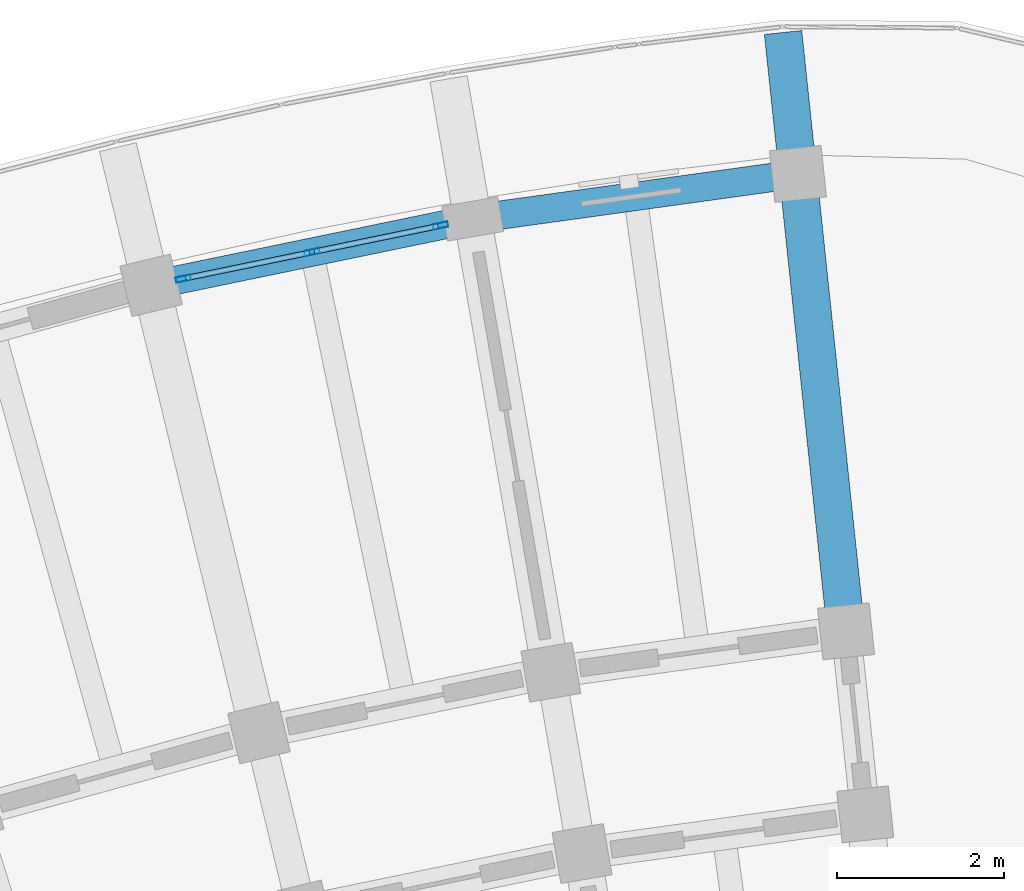
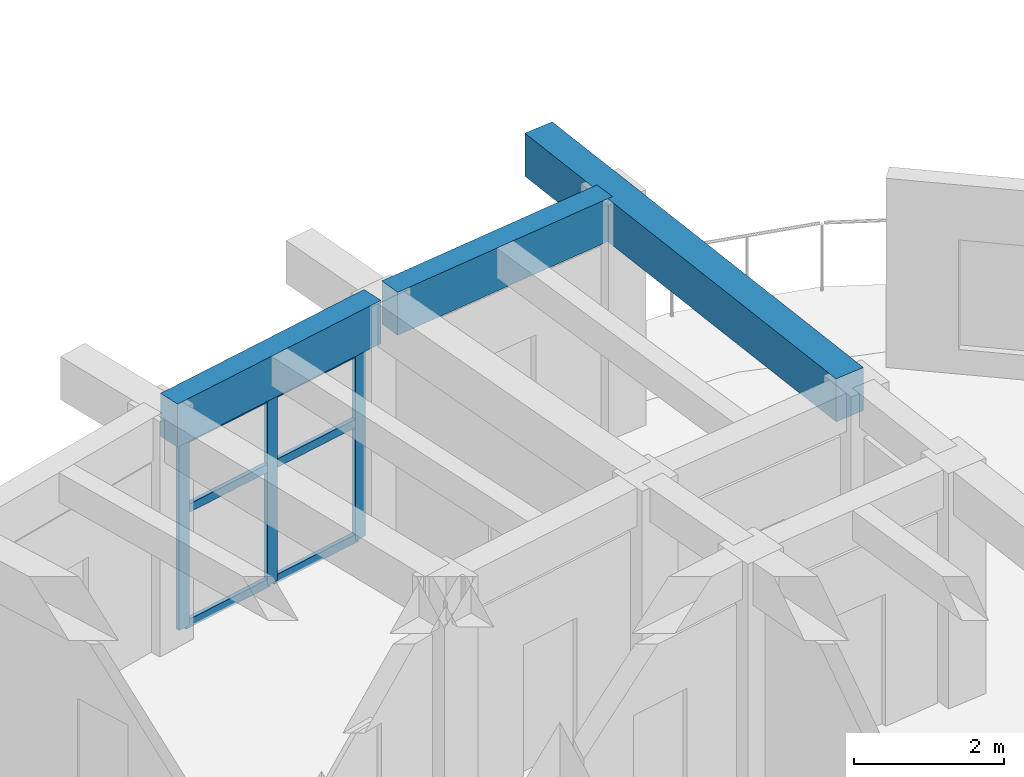
# One storey, part 42 of 128: 9 members, 3 beams, 1 element without a shape of its own.
"""IFC4 building model written with IfcOpenShell, lengths in metres."""

from ifc_helpers import new_model, si_unit, direction, frame, origin, origin_2d, place, context, subcontext, project, spatial, rectangle, hollow_rectangle, extrude, material, material_profile, profile_set, type_object, element, aggregate, save


model = new_model("IFC4")

# Units and contexts
model_context = context("Model", 3, precision=1e-05, world=origin(), true_north=direction((0.0, 1.0)))
body_context = subcontext(model_context, "Body", "Model", "MODEL_VIEW")
ifc_project = project(units=[si_unit("LENGTHUNIT", "METRE"), si_unit("AREAUNIT", "SQUARE_METRE"), si_unit("VOLUMEUNIT", "CUBIC_METRE"), si_unit("PLANEANGLEUNIT", "RADIAN"), si_unit("MASSUNIT", "GRAM", prefix="KILO")], contexts=[model_context])

# Site, building, storey
site_placement = place(None, origin())
site = spatial("IfcSite", under=ifc_project, at=site_placement, CompositionType="ELEMENT")
building_placement = place(site_placement, origin())
building = spatial("IfcBuilding", under=site, at=building_placement, Name="Tanwirah Colonnade Gardens", CompositionType="ELEMENT")
storey_placement = place(building_placement, frame((0.0, 0.0, 4.760009765625)))
storey = spatial("IfcBuildingStorey", under=building, at=storey_placement, Name="L01", CompositionType="ELEMENT", Elevation=4.760009765625)

# Beam
ifc_material_1 = material(Name="Precast concrete C45/55", Category="concrete")
ifc_material_profile_1 = material_profile(ifc_material_1, rectangle(XDim=0.449951171875, YDim=0.699951171875, at=origin_2d()), Name="PC-BM 450x700")
ifc_profile_set_1 = profile_set([ifc_material_profile_1], Name="Precast concrete C45/55")
beam_type_1 = type_object("IfcBeamType", Name="BM-PC450", PredefinedType="BEAM", material=ifc_profile_set_1)
beam_placement = place(storey_placement, frame((59.33447265625, 114.10302734375, 3.47509765625), z_axis=(-0.104511730475, 0.994523653913, 0.0), x_axis=(-0.994523653913, -0.104511730475, 0.0)))
element("IfcBeam", 1, at=beam_placement, inside=storey, type_object=beam_type_1, Name="Block A L01 Outer Radial Precast Girder 0", PredefinedType="BEAM", context=body_context, shape_type="SweptSolid", body=[
    extrude(rectangle(XDim=0.449951171875, YDim=0.699951171875, at=origin_2d()), origin(), (0.0, 0.0, 1.0), 7.050048828125),
])

# Curtain wall, members
ifc_material_2 = material(Name="Bronze-anodised aluminium and solar-control low-E glass", Category="aluminium")
curtain_wall_type = type_object("IfcCurtainWallType", Name="CW-LOB", PredefinedType="NOTDEFINED", material=ifc_material_2)
curtain_wall_placement = place(storey_placement, origin())
curtain_wall = element("IfcCurtainWall", 2, at=curtain_wall_placement, inside=storey, type_object=curtain_wall_type, Name="Curtain Wall CW-A-L01-OUT-01", PredefinedType="NOTDEFINED")
ifc_material_3 = material(Name="Bronze-anodised aluminium", Category="aluminium")
ifc_material_profile_2 = material_profile(ifc_material_3, hollow_rectangle(XDim=0.06494140625, YDim=0.179931640625, WallThickness=0.00390625, at=origin_2d()), Name="CW-MUL 65x180x4")
ifc_profile_set_2 = profile_set([ifc_material_profile_2], Name="Bronze-anodised aluminium")
member_type_1 = type_object("IfcMemberType", Name="CWM-65x180", PredefinedType="MULLION", material=ifc_profile_set_2)
member_1_placement = place(storey_placement, frame((54.50244140625, 118.8056640625, 0.0), z_axis=(0.0, 0.0, 1.0), x_axis=(0.202218047772, -0.979340523595, 0.0)))
member_1 = element("IfcMember", 3, at=member_1_placement, type_object=member_type_1, Name="CW-LOB mullion 1", PredefinedType="MULLION", context=body_context, shape_type="SweptSolid", body=[
    extrude(hollow_rectangle(XDim=0.06494140625, YDim=0.179931640625, WallThickness=0.00390625, at=origin_2d()), origin(), (0.0, 0.0, 1.0), 3.074951171875),
])
member_2_placement = place(storey_placement, frame((52.964599609375, 118.488037109375, 0.0), z_axis=(0.0, 0.0, 1.0), x_axis=(0.202218047772, -0.979340523595, 0.0)))
member_2 = element("IfcMember", 4, at=member_2_placement, type_object=member_type_1, Name="CW-LOB mullion 2", PredefinedType="MULLION", context=body_context, shape_type="SweptSolid", body=[
    extrude(hollow_rectangle(XDim=0.06494140625, YDim=0.179931640625, WallThickness=0.00390625, at=origin_2d()), origin(), (0.0, 0.0, 1.0), 3.074951171875),
])
member_3_placement = place(storey_placement, frame((51.426513671875, 118.17041015625, 0.0), z_axis=(0.0, 0.0, 1.0), x_axis=(0.202218047772, -0.979340523595, 0.0)))
member_3 = element("IfcMember", 5, at=member_3_placement, type_object=member_type_1, Name="CW-LOB mullion 3", PredefinedType="MULLION", context=body_context, shape_type="SweptSolid", body=[
    extrude(hollow_rectangle(XDim=0.06494140625, YDim=0.179931640625, WallThickness=0.00390625, at=origin_2d()), origin(), (0.0, 0.0, 1.0), 3.074951171875),
])
ifc_material_profile_3 = material_profile(ifc_material_3, hollow_rectangle(XDim=0.06494140625, YDim=0.135009765625, WallThickness=0.00390625, at=origin_2d()), Name="CW-TRN 65x135x4")
ifc_profile_set_3 = profile_set([ifc_material_profile_3], Name="Bronze-anodised aluminium")
member_type_2 = type_object("IfcMemberType", Name="CWT-65x135", PredefinedType="USERDEFINED", material=ifc_profile_set_3)
member_4_placement = place(storey_placement, frame((54.470458984375, 118.799072265625, 0.032470703125), z_axis=(-0.97933248515, -0.202256973995, 0.0), x_axis=(0.202256973995, -0.97933248515, 0.0)))
member_4 = element("IfcMember", 6, at=member_4_placement, type_object=member_type_2, Name="CW-LOB transom 1.1", ObjectType="TRANSOM", PredefinedType="USERDEFINED", context=body_context, shape_type="SweptSolid", body=[
    extrude(hollow_rectangle(XDim=0.06494140625, YDim=0.135009765625, WallThickness=0.00390625, at=origin_2d()), origin(), (0.0, 0.0, 1.0), 1.505126953125),
])
member_5_placement = place(storey_placement, frame((54.470458984375, 118.799072265625, 1.906494140625), z_axis=(-0.97933248515, -0.202256973995, 0.0), x_axis=(0.202256973995, -0.97933248515, 0.0)))
member_5 = element("IfcMember", 7, at=member_5_placement, type_object=member_type_2, Name="CW-LOB transom 1.2", ObjectType="TRANSOM", PredefinedType="USERDEFINED", context=body_context, shape_type="SweptSolid", body=[
    extrude(hollow_rectangle(XDim=0.06494140625, YDim=0.135009765625, WallThickness=0.00390625, at=origin_2d()), origin(), (0.0, 0.0, 1.0), 1.505126953125),
])
member_6_placement = place(storey_placement, frame((54.470458984375, 118.799072265625, 3.04248046875), z_axis=(-0.97933248515, -0.202256973995, 0.0), x_axis=(0.202256973995, -0.97933248515, 0.0)))
member_6 = element("IfcMember", 8, at=member_6_placement, type_object=member_type_2, Name="CW-LOB transom 1.3", ObjectType="TRANSOM", PredefinedType="USERDEFINED", context=body_context, shape_type="SweptSolid", body=[
    extrude(hollow_rectangle(XDim=0.06494140625, YDim=0.135009765625, WallThickness=0.00390625, at=origin_2d()), origin(), (0.0, 0.0, 1.0), 1.505126953125),
])
member_7_placement = place(storey_placement, frame((52.9326171875, 118.4814453125, 0.032470703125), z_axis=(-0.97933248515, -0.202256973995, 0.0), x_axis=(0.202256973995, -0.97933248515, 0.0)))
member_7 = element("IfcMember", 9, at=member_7_placement, type_object=member_type_2, Name="CW-LOB transom 2.1", ObjectType="TRANSOM", PredefinedType="USERDEFINED", context=body_context, shape_type="SweptSolid", body=[
    extrude(hollow_rectangle(XDim=0.06494140625, YDim=0.135009765625, WallThickness=0.00390625, at=origin_2d()), origin(), (0.0, 0.0, 1.0), 1.505126953125),
])
member_8_placement = place(storey_placement, frame((52.9326171875, 118.4814453125, 1.906494140625), z_axis=(-0.97933248515, -0.202256973995, 0.0), x_axis=(0.202256973995, -0.97933248515, 0.0)))
member_8 = element("IfcMember", 10, at=member_8_placement, type_object=member_type_2, Name="CW-LOB transom 2.2", ObjectType="TRANSOM", PredefinedType="USERDEFINED", context=body_context, shape_type="SweptSolid", body=[
    extrude(hollow_rectangle(XDim=0.06494140625, YDim=0.135009765625, WallThickness=0.00390625, at=origin_2d()), origin(), (0.0, 0.0, 1.0), 1.505126953125),
])
member_9_placement = place(storey_placement, frame((52.9326171875, 118.4814453125, 3.04248046875), z_axis=(-0.97933248515, -0.202256973995, 0.0), x_axis=(0.202256973995, -0.97933248515, 0.0)))
member_9 = element("IfcMember", 11, at=member_9_placement, type_object=member_type_2, Name="CW-LOB transom 2.3", ObjectType="TRANSOM", PredefinedType="USERDEFINED", context=body_context, shape_type="SweptSolid", body=[
    extrude(hollow_rectangle(XDim=0.06494140625, YDim=0.135009765625, WallThickness=0.00390625, at=origin_2d()), origin(), (0.0, 0.0, 1.0), 1.505126953125),
])
aggregate(curtain_wall, [member_1, member_2, member_3, member_4, member_5, member_6, member_7, member_8, member_9])

# Beams
ifc_material_profile_4 = material_profile(ifc_material_1, rectangle(XDim=0.340087890625, YDim=0.699951171875, at=origin_2d()), Name="PC-SP 340x700")
ifc_profile_set_4 = profile_set([ifc_material_profile_4], Name="Precast concrete C45/55")
beam_type_2 = type_object("IfcBeamType", Name="SP-PC340", PredefinedType="SPANDREL", material=ifc_profile_set_4)
for number, where, z_axis, x_axis, name in (
    (12, (58.626708984375, 119.403076171875, 3.47509765625), (-0.990538603978, -0.137234376268, 0.0), (0.137234376268, -0.990538603978, 0.0), "Block A L01 Circumferential Beam 0-R3"),
    (13, (54.739990234375, 118.854736328125, 3.47509765625), (-0.979328544205, -0.202276055197, 0.0), (0.202276055197, -0.979328544205, 0.0), "Block A L01 Circumferential Beam 1-R3"),
):
    element("IfcBeam", number, at=place(storey_placement, frame(where, z_axis=z_axis, x_axis=x_axis)), inside=storey, type_object=beam_type_2, Name=name, PredefinedType="SPANDREL", context=body_context, shape_type="SweptSolid", body=[
        extrude(rectangle(XDim=0.340087890625, YDim=0.699951171875, at=origin_2d()), origin(), (0.0, 0.0, 1.0), 3.625732421875),
    ])

save(model, "model.ifc")
